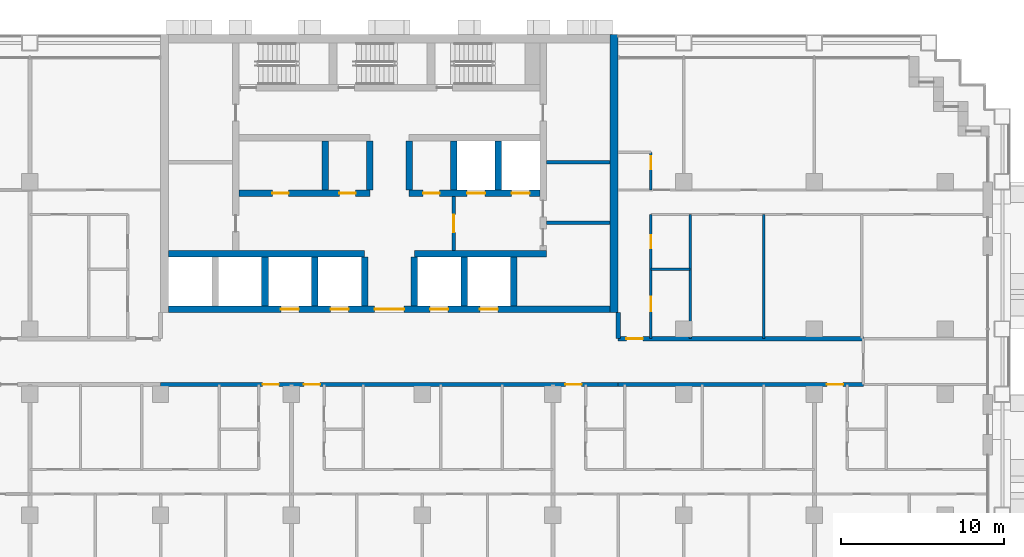
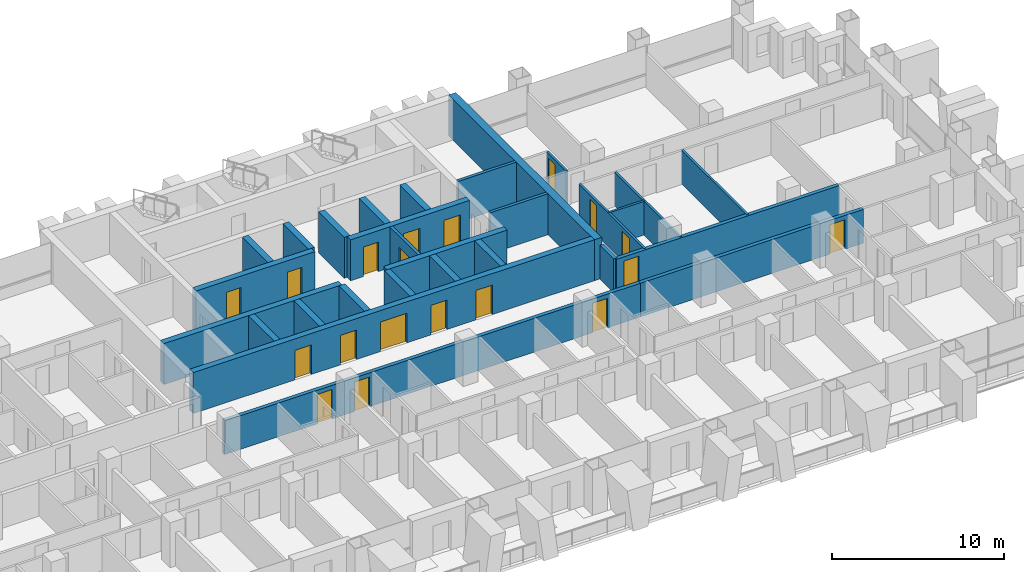
# One storey, part 12 of 19: 29 walls, 19 doors, 19 openings.
"""IFC4 building model written with IfcOpenShell, lengths in metres."""

from ifc_helpers import new_model, si_unit, direction, frame, frame_2d, origin, place, context, subcontext, project, spatial, rectangle, extrude, material, layer, layer_set, type_object, element, fill, save


model = new_model("IFC4")

# Units and contexts
model_context = context("Model", 3, precision=1e-05, world=origin(), true_north=direction((0.0, 1.0)))
body_context = subcontext(model_context, "Body", "Model", "MODEL_VIEW")
ifc_project = project(units=[si_unit("LENGTHUNIT", "METRE"), si_unit("AREAUNIT", "SQUARE_METRE"), si_unit("VOLUMEUNIT", "CUBIC_METRE"), si_unit("PLANEANGLEUNIT", "RADIAN"), si_unit("MASSUNIT", "GRAM", prefix="KILO")], contexts=[model_context])

# Site, building, storey
site_placement = place(None, origin())
site = spatial("IfcSite", under=ifc_project, at=site_placement, CompositionType="ELEMENT")
building_placement = place(site_placement, origin())
building = spatial("IfcBuilding", under=site, at=building_placement, Name="Vidyagriha Tower", CompositionType="ELEMENT")
storey_placement = place(building_placement, frame((0.0, 0.0, 57.60009765625)))
storey = spatial("IfcBuildingStorey", under=building, at=storey_placement, Name="L15", CompositionType="ELEMENT", Elevation=57.60009765625)

# Wall, openings, doors
ifc_material_1 = material(Name="Concrete C60/75", Category="concrete")
ifc_layer_1 = layer(ifc_material_1, 0.39990234375)
ifc_layer_set_1 = layer_set([ifc_layer_1], Name="Concrete C60/75")
wall_type_1 = type_object("IfcWallType", Name="Core shear wall 400 mm", PredefinedType="SHEAR", material=ifc_layer_set_1)
wall_1_placement = place(storey_placement, frame((-13.5, 3.199951171875, 0.0)))
wall_1 = element("IfcWall", 1, at=wall_1_placement, inside=storey, type_object=wall_type_1, Name="Core front wall", PredefinedType="SHEAR", context=body_context, shape_type="SweptSolid", body=[
    extrude(rectangle(XDim=27.0, YDim=0.39990234375, at=frame_2d((13.5, 0.0))), origin(), (0.0, 0.0, 1.0), 2.919921875),
])
opening_1_placement = place(wall_1_placement, frame((6.861083984375, 0.0, 0.0)))
opening_1 = element("IfcOpeningElement", 2, at=opening_1_placement, cuts=wall_1, Name="Opening LD15-01", PredefinedType="OPENING", context=body_context, shape_type="SweptSolid", body=[
    extrude(rectangle(XDim=1.10009765625, YDim=2.10009765625, at=frame_2d((0.550048828125, 1.050048828125))), frame((0.0, 0.2099609375, 0.0), z_axis=(0.0, -1.0, 0.0), x_axis=(1.0, 0.0, 0.0)), (0.0, 0.0, 1.0), 0.419921875),
])
opening_2_placement = place(wall_1_placement, frame((9.905517578125, 0.0, 0.0)))
opening_2 = element("IfcOpeningElement", 3, at=opening_2_placement, cuts=wall_1, Name="Opening LD15-02", PredefinedType="OPENING", context=body_context, shape_type="SweptSolid", body=[
    extrude(rectangle(XDim=1.10009765625, YDim=2.10009765625, at=frame_2d((0.550048828125, 1.050048828125))), frame((0.0, 0.2099609375, 0.0), z_axis=(0.0, -1.0, 0.0), x_axis=(1.0, 0.0, 0.0)), (0.0, 0.0, 1.0), 0.419921875),
])
opening_3_placement = place(wall_1_placement, frame((15.994384765625, 0.0, 0.0)))
opening_3 = element("IfcOpeningElement", 4, at=opening_3_placement, cuts=wall_1, Name="Opening LD15-03", PredefinedType="OPENING", context=body_context, shape_type="SweptSolid", body=[
    extrude(rectangle(XDim=1.10009765625, YDim=2.10009765625, at=frame_2d((0.550048828125, 1.050048828125))), frame((0.0, 0.2099609375, 0.0), z_axis=(0.0, -1.0, 0.0), x_axis=(1.0, 0.0, 0.0)), (0.0, 0.0, 1.0), 0.419921875),
])
opening_4_placement = place(wall_1_placement, frame((19.038818359375, 0.0, 0.0)))
opening_4 = element("IfcOpeningElement", 5, at=opening_4_placement, cuts=wall_1, Name="Opening LD15-04", PredefinedType="OPENING", context=body_context, shape_type="SweptSolid", body=[
    extrude(rectangle(XDim=1.10009765625, YDim=2.10009765625, at=frame_2d((0.550048828125, 1.050048828125))), frame((0.0, 0.2099609375, 0.0), z_axis=(0.0, -1.0, 0.0), x_axis=(1.0, 0.0, 0.0)), (0.0, 0.0, 1.0), 0.419921875),
])
opening_5_placement = place(wall_1_placement, frame((12.60009765625, 0.0, 0.0)))
opening_5 = element("IfcOpeningElement", 6, at=opening_5_placement, cuts=wall_1, Name="Opening D15-01", PredefinedType="OPENING", context=body_context, shape_type="SweptSolid", body=[
    extrude(rectangle(XDim=1.800048828125, YDim=2.10009765625, at=frame_2d((0.89990234375, 1.050048828125))), frame((0.0, 0.2099609375, 0.0), z_axis=(0.0, -1.0, 0.0), x_axis=(1.0, 0.0, 0.0)), (0.0, 0.0, 1.0), 0.419921875),
])
ifc_material_2 = material(Name="Hollow metal door leaf")
door_type_1 = type_object("IfcDoorType", Name="Core lobby double door 1800 x 2100 mm EI 60", OperationType="NOTDEFINED", PredefinedType="DOOR", material=ifc_material_2)
door_1_placement = place(opening_5_placement, frame((1.800048828125, 0.0, 0.0), z_axis=(0.0, 0.0, 1.0), x_axis=(-1.0, 0.0, 0.0)))
door_1 = element("IfcDoor", 7, at=door_1_placement, inside=storey, type_object=door_type_1, Name="Core entrance door L15", OperationType="DOUBLE_DOOR_SINGLE_SWING", OverallHeight=2.10009765625, OverallWidth=1.800048828125, PredefinedType="DOOR", context=body_context, shape_type="SweptSolid", body=[
    extrude(rectangle(XDim=1.800048828125, YDim=2.10009765625, at=frame_2d((0.89990234375, 1.050048828125))), frame((0.0, 0.02490234375, 0.0), z_axis=(0.0, -1.0, 0.0), x_axis=(1.0, 0.0, 0.0)), (0.0, 0.0, 1.0), 0.050048828125),
])
fill(opening_5, door_1)
ifc_material_3 = material(Name="Stainless steel sliding door panel", Category="steel")
door_type_2 = type_object("IfcDoorType", Name="Lift landing door 1100 x 2100 mm EI 90", OperationType="NOTDEFINED", PredefinedType="DOOR", material=ifc_material_3)
door_2_placement = place(opening_1_placement, origin())
door_2 = element("IfcDoor", 8, at=door_2_placement, inside=storey, type_object=door_type_2, Name="Landing door LR1 L15", OperationType="SLIDING_TO_LEFT", OverallHeight=2.10009765625, OverallWidth=1.10009765625, PredefinedType="DOOR", context=body_context, shape_type="SweptSolid", body=[
    extrude(rectangle(XDim=1.10009765625, YDim=2.10009765625, at=frame_2d((0.550048828125, 1.050048828125))), frame((0.0, 0.02490234375, 0.0), z_axis=(0.0, -1.0, 0.0), x_axis=(1.0, 0.0, 0.0)), (0.0, 0.0, 1.0), 0.050048828125),
])
fill(opening_1, door_2)
door_3_placement = place(opening_2_placement, origin())
door_3 = element("IfcDoor", 9, at=door_3_placement, inside=storey, type_object=door_type_2, Name="Landing door LR2 L15", OperationType="SLIDING_TO_LEFT", OverallHeight=2.10009765625, OverallWidth=1.10009765625, PredefinedType="DOOR", context=body_context, shape_type="SweptSolid", body=[
    extrude(rectangle(XDim=1.10009765625, YDim=2.10009765625, at=frame_2d((0.550048828125, 1.050048828125))), frame((0.0, 0.02490234375, 0.0), z_axis=(0.0, -1.0, 0.0), x_axis=(1.0, 0.0, 0.0)), (0.0, 0.0, 1.0), 0.050048828125),
])
fill(opening_2, door_3)
door_4_placement = place(opening_3_placement, origin())
door_4 = element("IfcDoor", 10, at=door_4_placement, inside=storey, type_object=door_type_2, Name="Landing door LR3 L15", OperationType="SLIDING_TO_LEFT", OverallHeight=2.10009765625, OverallWidth=1.10009765625, PredefinedType="DOOR", context=body_context, shape_type="SweptSolid", body=[
    extrude(rectangle(XDim=1.10009765625, YDim=2.10009765625, at=frame_2d((0.550048828125, 1.050048828125))), frame((0.0, 0.02490234375, 0.0), z_axis=(0.0, -1.0, 0.0), x_axis=(1.0, 0.0, 0.0)), (0.0, 0.0, 1.0), 0.050048828125),
])
fill(opening_3, door_4)
door_5_placement = place(opening_4_placement, origin())
door_5 = element("IfcDoor", 11, at=door_5_placement, inside=storey, type_object=door_type_2, Name="Landing door LR4 L15", OperationType="SLIDING_TO_LEFT", OverallHeight=2.10009765625, OverallWidth=1.10009765625, PredefinedType="DOOR", context=body_context, shape_type="SweptSolid", body=[
    extrude(rectangle(XDim=1.10009765625, YDim=2.10009765625, at=frame_2d((0.550048828125, 1.050048828125))), frame((0.0, 0.02490234375, 0.0), z_axis=(0.0, -1.0, 0.0), x_axis=(1.0, 0.0, 0.0)), (0.0, 0.0, 1.0), 0.050048828125),
])
fill(opening_4, door_5)

# Walls
wall_2_placement = place(storey_placement, frame((-13.5, 6.60009765625, 0.0)))
element("IfcWall", 12, at=wall_2_placement, inside=storey, type_object=wall_type_1, Name="Core lobby south wall west", PredefinedType="SHEAR", context=body_context, shape_type="SweptSolid", body=[
    extrude(rectangle(XDim=11.977783203125, YDim=0.39990234375, at=frame_2d((5.98876953125, 0.0))), origin(), (0.0, 0.0, 1.0), 2.919921875),
])
wall_3_placement = place(storey_placement, frame((1.522216796875, 6.60009765625, 0.0)))
element("IfcWall", 13, at=wall_3_placement, inside=storey, type_object=wall_type_1, Name="Core lobby south wall east", PredefinedType="SHEAR", context=body_context, shape_type="SweptSolid", body=[
    extrude(rectangle(XDim=8.077880859375, YDim=0.39990234375, at=frame_2d((4.0390625, 0.0))), origin(), (0.0, 0.0, 1.0), 2.919921875),
])
for number, where, z_axis, x_axis, name in (
    (14, (-7.611083984375, 3.39990234375, 0.0), (0.0, 0.0, 1.0), (0.0, 1.0, 0.0), "Core bay wall S2"),
    (15, (-4.566650390625, 3.39990234375, 0.0), (0.0, 0.0, 1.0), (0.0, 1.0, 0.0), "Core bay wall S3"),
    (16, (-1.522216796875, 3.39990234375, 0.0), (0.0, 0.0, 1.0), (0.0, 1.0, 0.0), "Core bay wall S4"),
    (17, (1.522216796875, 3.39990234375, 0.0), (0.0, 0.0, 1.0), (0.0, 1.0, 0.0), "Core bay wall S5"),
    (18, (4.566650390625, 3.39990234375, 0.0), (0.0, 0.0, 1.0), (0.0, 1.0, 0.0), "Core bay wall S6"),
    (19, (7.611083984375, 3.39990234375, 0.0), (0.0, 0.0, 1.0), (0.0, 1.0, 0.0), "Core bay wall S7"),
):
    element("IfcWall", number, at=place(storey_placement, frame(where, z_axis=z_axis, x_axis=x_axis)), inside=storey, type_object=wall_type_1, Name=name, PredefinedType="SHEAR", context=body_context, shape_type="SweptSolid", body=[
        extrude(rectangle(XDim=3.0, YDim=0.39990234375, at=frame_2d((1.5, 0.0))), origin(), (0.0, 0.0, 1.0), 2.919921875),
    ])

# Wall, openings, doors
wall_4_placement = place(storey_placement, frame((-9.199951171875, 10.300048828125, 0.0)))
wall_4 = element("IfcWall", 20, at=wall_4_placement, inside=storey, type_object=wall_type_1, Name="Core row N front wall", PredefinedType="SHEAR", context=body_context, shape_type="SweptSolid", body=[
    extrude(rectangle(XDim=8.0, YDim=0.39990234375, at=frame_2d((4.0, 0.0))), origin(), (0.0, 0.0, 1.0), 2.919921875),
])
opening_6_placement = place(wall_4_placement, frame((2.033203125, 0.0, 0.0)))
opening_6 = element("IfcOpeningElement", 21, at=opening_6_placement, cuts=wall_4, Name="Opening D15-02", PredefinedType="OPENING", context=body_context, shape_type="SweptSolid", body=[
    extrude(rectangle(XDim=1.0, YDim=2.10009765625, at=frame_2d((0.5, 1.050048828125))), frame((0.0, 0.2099609375, 0.0), z_axis=(0.0, -1.0, 0.0), x_axis=(1.0, 0.0, 0.0)), (0.0, 0.0, 1.0), 0.419921875),
])
opening_7_placement = place(wall_4_placement, frame((6.13330078125, 0.0, 0.0)))
opening_7 = element("IfcOpeningElement", 22, at=opening_7_placement, cuts=wall_4, Name="Opening D15-03", PredefinedType="OPENING", context=body_context, shape_type="SweptSolid", body=[
    extrude(rectangle(XDim=1.0, YDim=2.10009765625, at=frame_2d((0.5, 1.050048828125))), frame((0.0, 0.2099609375, 0.0), z_axis=(0.0, -1.0, 0.0), x_axis=(1.0, 0.0, 0.0)), (0.0, 0.0, 1.0), 0.419921875),
])
ifc_material_4 = material(Name="Hollow metal door leaf")
door_type_3 = type_object("IfcDoorType", Name="Core room door 1000 x 2100 mm EI 60", OperationType="NOTDEFINED", PredefinedType="DOOR", material=ifc_material_4)
door_6_placement = place(opening_6_placement, frame((1.0, 0.0, 0.0), z_axis=(0.0, 0.0, 1.0), x_axis=(-1.0, 0.0, 0.0)))
door_6 = element("IfcDoor", 23, at=door_6_placement, inside=storey, type_object=door_type_3, Name="Door Pressurisation Plant Room 15.14", OperationType="SINGLE_SWING_RIGHT", OverallHeight=2.10009765625, OverallWidth=1.0, PredefinedType="DOOR", context=body_context, shape_type="SweptSolid", body=[
    extrude(rectangle(XDim=1.0, YDim=2.10009765625, at=frame_2d((0.5, 1.050048828125))), frame((0.0, 0.02490234375, 0.0), z_axis=(0.0, -1.0, 0.0), x_axis=(1.0, 0.0, 0.0)), (0.0, 0.0, 1.0), 0.050048828125),
])
fill(opening_6, door_6)
door_7_placement = place(opening_7_placement, frame((1.0, 0.0, 0.0), z_axis=(0.0, 0.0, 1.0), x_axis=(-1.0, 0.0, 0.0)))
door_7 = element("IfcDoor", 24, at=door_7_placement, inside=storey, type_object=door_type_3, Name="Door Switchgear Room 15.15", OperationType="SINGLE_SWING_LEFT", OverallHeight=2.10009765625, OverallWidth=1.0, PredefinedType="DOOR", context=body_context, shape_type="SweptSolid", body=[
    extrude(rectangle(XDim=1.0, YDim=2.10009765625, at=frame_2d((0.5, 1.050048828125))), frame((0.0, 0.02490234375, 0.0), z_axis=(0.0, -1.0, 0.0), x_axis=(1.0, 0.0, 0.0)), (0.0, 0.0, 1.0), 0.050048828125),
])
fill(opening_7, door_7)

wall_5_placement = place(storey_placement, frame((1.199951171875, 10.300048828125, 0.0)))
wall_5 = element("IfcWall", 25, at=wall_5_placement, inside=storey, type_object=wall_type_1, Name="Core row N front wall", PredefinedType="SHEAR", context=body_context, shape_type="SweptSolid", body=[
    extrude(rectangle(XDim=8.0, YDim=0.39990234375, at=frame_2d((4.0, 0.0))), origin(), (0.0, 0.0, 1.0), 2.919921875),
])
opening_8_placement = place(wall_5_placement, frame((3.550048828125, 0.0, 0.0)))
opening_8 = element("IfcOpeningElement", 26, at=opening_8_placement, cuts=wall_5, Name="Opening LD15-05", PredefinedType="OPENING", context=body_context, shape_type="SweptSolid", body=[
    extrude(rectangle(XDim=1.10009765625, YDim=2.10009765625, at=frame_2d((0.550048828125, 1.050048828125))), frame((0.0, 0.2099609375, 0.0), z_axis=(0.0, -1.0, 0.0), x_axis=(1.0, 0.0, 0.0)), (0.0, 0.0, 1.0), 0.419921875),
])
opening_9_placement = place(wall_5_placement, frame((6.283203125, 0.0, 0.0)))
opening_9 = element("IfcOpeningElement", 27, at=opening_9_placement, cuts=wall_5, Name="Opening LD15-06", PredefinedType="OPENING", context=body_context, shape_type="SweptSolid", body=[
    extrude(rectangle(XDim=1.10009765625, YDim=2.10009765625, at=frame_2d((0.550048828125, 1.050048828125))), frame((0.0, 0.2099609375, 0.0), z_axis=(0.0, -1.0, 0.0), x_axis=(1.0, 0.0, 0.0)), (0.0, 0.0, 1.0), 0.419921875),
])
opening_10_placement = place(wall_5_placement, frame((0.86669921875, 0.0, 0.0)))
opening_10 = element("IfcOpeningElement", 28, at=opening_10_placement, cuts=wall_5, Name="Opening D15-04", PredefinedType="OPENING", context=body_context, shape_type="SweptSolid", body=[
    extrude(rectangle(XDim=1.0, YDim=2.10009765625, at=frame_2d((0.5, 1.050048828125))), frame((0.0, 0.2099609375, 0.0), z_axis=(0.0, -1.0, 0.0), x_axis=(1.0, 0.0, 0.0)), (0.0, 0.0, 1.0), 0.419921875),
])
door_8_placement = place(opening_10_placement, frame((1.0, 0.0, 0.0), z_axis=(0.0, 0.0, 1.0), x_axis=(-1.0, 0.0, 0.0)))
door_8 = element("IfcDoor", 29, at=door_8_placement, inside=storey, type_object=door_type_3, Name="Door Electrical Room 15.16", OperationType="SINGLE_SWING_LEFT", OverallHeight=2.10009765625, OverallWidth=1.0, PredefinedType="DOOR", context=body_context, shape_type="SweptSolid", body=[
    extrude(rectangle(XDim=1.0, YDim=2.10009765625, at=frame_2d((0.5, 1.050048828125))), frame((0.0, 0.02490234375, 0.0), z_axis=(0.0, -1.0, 0.0), x_axis=(1.0, 0.0, 0.0)), (0.0, 0.0, 1.0), 0.050048828125),
])
fill(opening_10, door_8)
door_9_placement = place(opening_8_placement, origin())
door_9 = element("IfcDoor", 30, at=door_9_placement, inside=storey, type_object=door_type_2, Name="Landing door FF1 L15", OperationType="SLIDING_TO_LEFT", OverallHeight=2.10009765625, OverallWidth=1.10009765625, PredefinedType="DOOR", context=body_context, shape_type="SweptSolid", body=[
    extrude(rectangle(XDim=1.10009765625, YDim=2.10009765625, at=frame_2d((0.550048828125, 1.050048828125))), frame((0.0, 0.02490234375, 0.0), z_axis=(0.0, -1.0, 0.0), x_axis=(1.0, 0.0, 0.0)), (0.0, 0.0, 1.0), 0.050048828125),
])
fill(opening_8, door_9)
door_10_placement = place(opening_9_placement, origin())
door_10 = element("IfcDoor", 31, at=door_10_placement, inside=storey, type_object=door_type_2, Name="Landing door FF2 L15", OperationType="SLIDING_TO_LEFT", OverallHeight=2.10009765625, OverallWidth=1.10009765625, PredefinedType="DOOR", context=body_context, shape_type="SweptSolid", body=[
    extrude(rectangle(XDim=1.10009765625, YDim=2.10009765625, at=frame_2d((0.550048828125, 1.050048828125))), frame((0.0, 0.02490234375, 0.0), z_axis=(0.0, -1.0, 0.0), x_axis=(1.0, 0.0, 0.0)), (0.0, 0.0, 1.0), 0.050048828125),
])
fill(opening_9, door_10)

# Walls
for number, where, z_axis, x_axis, name in (
    (32, (-3.933349609375, 10.5, 0.0), (0.0, 0.0, 1.0), (0.0, 1.0, 0.0), "Core bay wall N2"),
    (33, (-1.199951171875, 10.5, 0.0), (0.0, 0.0, 1.0), (0.0, 1.0, 0.0), "Core bay wall N3"),
    (34, (1.199951171875, 10.5, 0.0), (0.0, 0.0, 1.0), (0.0, 1.0, 0.0), "Core bay wall N4"),
    (35, (3.933349609375, 10.5, 0.0), (0.0, 0.0, 1.0), (0.0, 1.0, 0.0), "Core bay wall N5"),
    (36, (6.666748046875, 10.5, 0.0), (0.0, 0.0, 1.0), (0.0, 1.0, 0.0), "Core bay wall N6"),
):
    element("IfcWall", number, at=place(storey_placement, frame(where, z_axis=z_axis, x_axis=x_axis)), inside=storey, type_object=wall_type_1, Name=name, PredefinedType="SHEAR", context=body_context, shape_type="SweptSolid", body=[
        extrude(rectangle(XDim=3.0, YDim=0.39990234375, at=frame_2d((1.5, 0.0))), origin(), (0.0, 0.0, 1.0), 2.919921875),
    ])
ifc_material_5 = material(Name="Concrete C60/75", Category="concrete")
ifc_layer_2 = layer(ifc_material_5, 0.5)
ifc_layer_set_2 = layer_set([ifc_layer_2], Name="Concrete C60/75")
wall_type_2 = type_object("IfcWallType", Name="Core shear wall 500 mm", PredefinedType="SHEAR", material=ifc_layer_set_2)
wall_6_placement = place(storey_placement, frame((13.75, 3.0, 0.0), z_axis=(0.0, 0.0, 1.0), x_axis=(0.0, 1.0, 0.0)))
element("IfcWall", 37, at=wall_6_placement, inside=storey, type_object=wall_type_2, Name="Core east wall", PredefinedType="SHEAR", context=body_context, shape_type="SweptSolid", body=[
    extrude(rectangle(XDim=17.0, YDim=0.5, at=frame_2d((8.5, 0.0))), origin(), (0.0, 0.0, 1.0), 2.919921875),
])

# Wall, opening, door
ifc_material_6 = material(Name="Fired clay brick masonry", Category="masonry")
ifc_layer_3 = layer(ifc_material_6, 0.25)
ifc_layer_set_3 = layer_set([ifc_layer_3], Name="Fired clay brick masonry")
wall_type_3 = type_object("IfcWallType", Name="Fired clay brick corridor wall 250", PredefinedType="PARTITIONING", material=ifc_layer_set_3)
wall_7_placement = place(storey_placement, frame((29.0, -1.39990234375, 0.0), z_axis=(0.0, 0.0, 1.0), x_axis=(-1.0, 0.0, 0.0)))
wall_7 = element("IfcWall", 38, at=wall_7_placement, inside=storey, type_object=wall_type_3, Name="Wall all-L15-w095", PredefinedType="PARTITIONING", context=body_context, shape_type="SweptSolid", body=[
    extrude(rectangle(XDim=15.0, YDim=0.25, at=frame_2d((7.5, 0.0))), origin(), (0.0, 0.0, 1.0), 2.39990234375),
])
opening_11_placement = place(wall_7_placement, frame((1.239990234375, 0.0, 0.0)))
opening_11 = element("IfcOpeningElement", 39, at=opening_11_placement, cuts=wall_7, Name="Opening D15-57", PredefinedType="OPENING", context=body_context, shape_type="SweptSolid", body=[
    extrude(rectangle(XDim=1.0, YDim=2.10009765625, at=frame_2d((0.5, 1.050048828125))), frame((0.0, 0.135009765625, 0.0), z_axis=(0.0, -1.0, 0.0), x_axis=(1.0, 0.0, 0.0)), (0.0, 0.0, 1.0), 0.27001953125),
])
ifc_material_7 = material(Name="Fire-rated timber door leaf EI 60", Category="wood")
door_type_4 = type_object("IfcDoorType", Name="Flat entrance fire door 1000x2100", OperationType="NOTDEFINED", PredefinedType="DOOR", material=ifc_material_7)
door_11_placement = place(opening_11_placement, origin())
door_11 = element("IfcDoor", 40, at=door_11_placement, inside=storey, type_object=door_type_4, Name="Door D15-57", OperationType="SINGLE_SWING_RIGHT", OverallHeight=2.10009765625, OverallWidth=1.0, PredefinedType="DOOR", context=body_context, shape_type="SweptSolid", body=[
    extrude(rectangle(XDim=1.0, YDim=2.10009765625, at=frame_2d((0.5, 1.050048828125))), frame((0.0, 0.02490234375, 0.0), z_axis=(0.0, -1.0, 0.0), x_axis=(1.0, 0.0, 0.0)), (0.0, 0.0, 1.0), 0.050048828125),
])
fill(opening_11, door_11)

wall_8_placement = place(storey_placement, frame((14.0, 1.39990234375, 0.0)))
wall_8 = element("IfcWall", 41, at=wall_8_placement, inside=storey, type_object=wall_type_3, Name="Wall all-L15-w145", PredefinedType="PARTITIONING", context=body_context, shape_type="SweptSolid", body=[
    extrude(rectangle(XDim=15.0, YDim=0.25, at=frame_2d((7.5, 0.0))), origin(), (0.0, 0.0, 1.0), 2.39990234375),
])
opening_12_placement = place(wall_8_placement, frame((0.5, 0.0, 0.0)))
opening_12 = element("IfcOpeningElement", 42, at=opening_12_placement, cuts=wall_8, Name="Opening D15-79", PredefinedType="OPENING", context=body_context, shape_type="SweptSolid", body=[
    extrude(rectangle(XDim=1.0, YDim=2.10009765625, at=frame_2d((0.5, 1.050048828125))), frame((0.0, 0.135009765625, 0.0), z_axis=(0.0, -1.0, 0.0), x_axis=(1.0, 0.0, 0.0)), (0.0, 0.0, 1.0), 0.27001953125),
])
door_12_placement = place(opening_12_placement, origin())
door_12 = element("IfcDoor", 43, at=door_12_placement, inside=storey, type_object=door_type_4, Name="Door D15-79", OperationType="SINGLE_SWING_LEFT", OverallHeight=2.10009765625, OverallWidth=1.0, PredefinedType="DOOR", context=body_context, shape_type="SweptSolid", body=[
    extrude(rectangle(XDim=1.0, YDim=2.10009765625, at=frame_2d((0.5, 1.050048828125))), frame((0.0, 0.02490234375, 0.0), z_axis=(0.0, -1.0, 0.0), x_axis=(1.0, 0.0, 0.0)), (0.0, 0.0, 1.0), 0.050048828125),
])
fill(opening_12, door_12)

# Wall, openings, doors
wall_9_placement = place(storey_placement, frame((14.0, -1.39990234375, 0.0), z_axis=(0.0, 0.0, 1.0), x_axis=(-1.0, 0.0, 0.0)))
wall_9 = element("IfcWall", 44, at=wall_9_placement, inside=storey, type_object=wall_type_3, Name="Wall all-L15-w151", PredefinedType="PARTITIONING", context=body_context, shape_type="SweptSolid", body=[
    extrude(rectangle(XDim=28.0, YDim=0.25, at=frame_2d((14.0, 0.0))), origin(), (0.0, 0.0, 1.0), 2.39990234375),
])
opening_13_placement = place(wall_9_placement, frame((20.760009765625, 0.0, 0.0)))
opening_13 = element("IfcOpeningElement", 45, at=opening_13_placement, cuts=wall_9, Name="Opening D15-31", PredefinedType="OPENING", context=body_context, shape_type="SweptSolid", body=[
    extrude(rectangle(XDim=1.0, YDim=2.10009765625, at=frame_2d((0.5, 1.050048828125))), frame((0.0, 0.135009765625, 0.0), z_axis=(0.0, -1.0, 0.0), x_axis=(1.0, 0.0, 0.0)), (0.0, 0.0, 1.0), 0.27001953125),
])
opening_14_placement = place(wall_9_placement, frame((18.239990234375, 0.0, 0.0)))
opening_14 = element("IfcOpeningElement", 46, at=opening_14_placement, cuts=wall_9, Name="Opening D15-41", PredefinedType="OPENING", context=body_context, shape_type="SweptSolid", body=[
    extrude(rectangle(XDim=1.0, YDim=2.10009765625, at=frame_2d((0.5, 1.050048828125))), frame((0.0, 0.135009765625, 0.0), z_axis=(0.0, -1.0, 0.0), x_axis=(1.0, 0.0, 0.0)), (0.0, 0.0, 1.0), 0.27001953125),
])
opening_15_placement = place(wall_9_placement, frame((2.239990234375, 0.0, 0.0)))
opening_15 = element("IfcOpeningElement", 47, at=opening_15_placement, cuts=wall_9, Name="Opening D15-51", PredefinedType="OPENING", context=body_context, shape_type="SweptSolid", body=[
    extrude(rectangle(XDim=1.0, YDim=2.10009765625, at=frame_2d((0.5, 1.050048828125))), frame((0.0, 0.135009765625, 0.0), z_axis=(0.0, -1.0, 0.0), x_axis=(1.0, 0.0, 0.0)), (0.0, 0.0, 1.0), 0.27001953125),
])
door_13_placement = place(opening_13_placement, origin())
door_13 = element("IfcDoor", 48, at=door_13_placement, inside=storey, type_object=door_type_4, Name="Door D15-31", OperationType="SINGLE_SWING_LEFT", OverallHeight=2.10009765625, OverallWidth=1.0, PredefinedType="DOOR", context=body_context, shape_type="SweptSolid", body=[
    extrude(rectangle(XDim=1.0, YDim=2.10009765625, at=frame_2d((0.5, 1.050048828125))), frame((0.0, 0.02490234375, 0.0), z_axis=(0.0, -1.0, 0.0), x_axis=(1.0, 0.0, 0.0)), (0.0, 0.0, 1.0), 0.050048828125),
])
fill(opening_13, door_13)
door_14_placement = place(opening_14_placement, origin())
door_14 = element("IfcDoor", 49, at=door_14_placement, inside=storey, type_object=door_type_4, Name="Door D15-41", OperationType="SINGLE_SWING_RIGHT", OverallHeight=2.10009765625, OverallWidth=1.0, PredefinedType="DOOR", context=body_context, shape_type="SweptSolid", body=[
    extrude(rectangle(XDim=1.0, YDim=2.10009765625, at=frame_2d((0.5, 1.050048828125))), frame((0.0, 0.02490234375, 0.0), z_axis=(0.0, -1.0, 0.0), x_axis=(1.0, 0.0, 0.0)), (0.0, 0.0, 1.0), 0.050048828125),
])
fill(opening_14, door_14)
door_15_placement = place(opening_15_placement, origin())
door_15 = element("IfcDoor", 50, at=door_15_placement, inside=storey, type_object=door_type_4, Name="Door D15-51", OperationType="SINGLE_SWING_RIGHT", OverallHeight=2.10009765625, OverallWidth=1.0, PredefinedType="DOOR", context=body_context, shape_type="SweptSolid", body=[
    extrude(rectangle(XDim=1.0, YDim=2.10009765625, at=frame_2d((0.5, 1.050048828125))), frame((0.0, 0.02490234375, 0.0), z_axis=(0.0, -1.0, 0.0), x_axis=(1.0, 0.0, 0.0)), (0.0, 0.0, 1.0), 0.050048828125),
])
fill(opening_15, door_15)

# Walls
wall_10_placement = place(storey_placement, frame((14.0, 1.39990234375, 0.0), z_axis=(0.0, 0.0, 1.0), x_axis=(0.0, 1.0, 0.0)))
element("IfcWall", 51, at=wall_10_placement, inside=storey, type_object=wall_type_3, Name="Wall all-L15-w153", PredefinedType="PARTITIONING", context=body_context, shape_type="SweptSolid", body=[
    extrude(rectangle(XDim=1.60009765625, YDim=0.25, at=frame_2d((0.800048828125, 0.0))), origin(), (0.0, 0.0, 1.0), 2.39990234375),
])
ifc_material_8 = material(Name="Gypsum board partition")
ifc_layer_4 = layer(ifc_material_8, 0.14990234375)
ifc_layer_set_4 = layer_set([ifc_layer_4], Name="Gypsum board partition")
wall_type_4 = type_object("IfcWallType", Name="Gypsum board partition 150", PredefinedType="PARTITIONING", material=ifc_layer_set_4)
wall_11_placement = place(storey_placement, frame((16.0, 5.64990234375, 0.0)))
element("IfcWall", 52, at=wall_11_placement, inside=storey, type_object=wall_type_4, Name="Wall all-L15-w127", PredefinedType="PARTITIONING", context=body_context, shape_type="SweptSolid", body=[
    extrude(rectangle(XDim=2.39990234375, YDim=0.14990234375, at=frame_2d((1.199951171875, 0.0))), origin(), (0.0, 0.0, 1.0), 2.39990234375),
])
for number, where, z_axis, x_axis, name in (
    (53, (18.39990234375, 9.0, 0.0), (0.0, 0.0, 1.0), (0.0, -1.0, 0.0), "Wall all-L15-w128"),
    (54, (22.89990234375, 9.0, 0.0), (0.0, 0.0, 1.0), (0.0, -1.0, 0.0), "Wall all-L15-w129"),
):
    element("IfcWall", number, at=place(storey_placement, frame(where, z_axis=z_axis, x_axis=x_axis)), inside=storey, type_object=wall_type_4, Name=name, PredefinedType="PARTITIONING", context=body_context, shape_type="SweptSolid", body=[
        extrude(rectangle(XDim=7.60009765625, YDim=0.14990234375, at=frame_2d((3.800048828125, 0.0))), origin(), (0.0, 0.0, 1.0), 2.39990234375),
    ])

# Wall, opening, door
wall_12_placement = place(storey_placement, frame((16.0, 12.800048828125, 0.0), z_axis=(0.0, 0.0, 1.0), x_axis=(0.0, -1.0, 0.0)))
wall_12 = element("IfcWall", 55, at=wall_12_placement, inside=storey, type_object=wall_type_4, Name="Wall all-L15-w141", PredefinedType="PARTITIONING", context=body_context, shape_type="SweptSolid", body=[
    extrude(rectangle(XDim=2.300048828125, YDim=0.14990234375, at=frame_2d((1.14990234375, 0.0))), origin(), (0.0, 0.0, 1.0), 2.39990234375),
])
opening_16_placement = place(wall_12_placement, frame((0.239990234375, 0.0, 0.0)))
opening_16 = element("IfcOpeningElement", 56, at=opening_16_placement, cuts=wall_12, Name="Opening D15-78", PredefinedType="OPENING", context=body_context, shape_type="SweptSolid", body=[
    extrude(rectangle(XDim=0.800048828125, YDim=2.10009765625, at=frame_2d((0.39990234375, 1.050048828125))), frame((0.0, 0.0849609375, 0.0), z_axis=(0.0, -1.0, 0.0), x_axis=(1.0, 0.0, 0.0)), (0.0, 0.0, 1.0), 0.169921875),
])
ifc_material_9 = material(Name="Timber door leaf", Category="wood")
door_type_5 = type_object("IfcDoorType", Name="Bathroom door 800x2100", OperationType="NOTDEFINED", PredefinedType="DOOR", material=ifc_material_9)
door_16_placement = place(opening_16_placement, origin())
door_16 = element("IfcDoor", 57, at=door_16_placement, inside=storey, type_object=door_type_5, Name="Door D15-78", OperationType="SINGLE_SWING_RIGHT", OverallHeight=2.10009765625, OverallWidth=0.800048828125, PredefinedType="DOOR", context=body_context, shape_type="SweptSolid", body=[
    extrude(rectangle(XDim=0.800048828125, YDim=2.10009765625, at=frame_2d((0.39990234375, 1.050048828125))), frame((0.0, 0.02490234375, 0.0), z_axis=(0.0, -1.0, 0.0), x_axis=(1.0, 0.0, 0.0)), (0.0, 0.0, 1.0), 0.050048828125),
])
fill(opening_16, door_16)

# Wall, openings, doors
ifc_material_10 = material(Name="Moisture resistant gypsum board partition")
ifc_layer_5 = layer(ifc_material_10, 0.14990234375)
ifc_layer_set_5 = layer_set([ifc_layer_5], Name="Moisture resistant gypsum board partition")
wall_type_5 = type_object("IfcWallType", Name="Gypsum board wet-area partition 150", PredefinedType="PARTITIONING", material=ifc_layer_set_5)
wall_13_placement = place(storey_placement, frame((16.0, 9.0, 0.0), z_axis=(0.0, 0.0, 1.0), x_axis=(0.0, -1.0, 0.0)))
wall_13 = element("IfcWall", 58, at=wall_13_placement, inside=storey, type_object=wall_type_5, Name="Wall all-L15-w124", PredefinedType="PARTITIONING", context=body_context, shape_type="SweptSolid", body=[
    extrude(rectangle(XDim=7.60009765625, YDim=0.14990234375, at=frame_2d((3.800048828125, 0.0))), origin(), (0.0, 0.0, 1.0), 2.39990234375),
])
opening_17_placement = place(wall_13_placement, frame((5.02490234375, 0.0, 0.0)))
opening_17 = element("IfcOpeningElement", 59, at=opening_17_placement, cuts=wall_13, Name="Opening D15-70", PredefinedType="OPENING", context=body_context, shape_type="SweptSolid", body=[
    extrude(rectangle(XDim=0.89990234375, YDim=2.10009765625, at=frame_2d((0.449951171875, 1.050048828125))), frame((0.0, 0.0849609375, 0.0), z_axis=(0.0, -1.0, 0.0), x_axis=(1.0, 0.0, 0.0)), (0.0, 0.0, 1.0), 0.169921875),
])
opening_18_placement = place(wall_13_placement, frame((1.27490234375, 0.0, 0.0)))
opening_18 = element("IfcOpeningElement", 60, at=opening_18_placement, cuts=wall_13, Name="Opening D15-71", PredefinedType="OPENING", context=body_context, shape_type="SweptSolid", body=[
    extrude(rectangle(XDim=0.800048828125, YDim=2.10009765625, at=frame_2d((0.39990234375, 1.050048828125))), frame((0.0, 0.0849609375, 0.0), z_axis=(0.0, -1.0, 0.0), x_axis=(1.0, 0.0, 0.0)), (0.0, 0.0, 1.0), 0.169921875),
])
door_17_placement = place(opening_18_placement, origin())
door_17 = element("IfcDoor", 61, at=door_17_placement, inside=storey, type_object=door_type_5, Name="Door D15-71", OperationType="SINGLE_SWING_RIGHT", OverallHeight=2.10009765625, OverallWidth=0.800048828125, PredefinedType="DOOR", context=body_context, shape_type="SweptSolid", body=[
    extrude(rectangle(XDim=0.800048828125, YDim=2.10009765625, at=frame_2d((0.39990234375, 1.050048828125))), frame((0.0, 0.02490234375, 0.0), z_axis=(0.0, -1.0, 0.0), x_axis=(1.0, 0.0, 0.0)), (0.0, 0.0, 1.0), 0.050048828125),
])
fill(opening_18, door_17)
ifc_material_11 = material(Name="Timber door leaf", Category="wood")
door_type_6 = type_object("IfcDoorType", Name="Kitchen door 900x2100", OperationType="NOTDEFINED", PredefinedType="DOOR", material=ifc_material_11)
door_18_placement = place(opening_17_placement, origin())
door_18 = element("IfcDoor", 62, at=door_18_placement, inside=storey, type_object=door_type_6, Name="Door D15-70", OperationType="SINGLE_SWING_LEFT", OverallHeight=2.10009765625, OverallWidth=0.89990234375, PredefinedType="DOOR", context=body_context, shape_type="SweptSolid", body=[
    extrude(rectangle(XDim=0.89990234375, YDim=2.10009765625, at=frame_2d((0.449951171875, 1.050048828125))), frame((0.0, 0.02490234375, 0.0), z_axis=(0.0, -1.0, 0.0), x_axis=(1.0, 0.0, 0.0)), (0.0, 0.0, 1.0), 0.050048828125),
])
fill(opening_17, door_18)

# Wall, opening, door
ifc_material_12 = material(Name="Blockwork 15 MPa", Category="masonry")
ifc_layer_6 = layer(ifc_material_12, 0.199951171875)
ifc_layer_set_6 = layer_set([ifc_layer_6], Name="Blockwork 15 MPa")
wall_type_6 = type_object("IfcWallType", Name="Service room partition 200 mm", PredefinedType="PARTITIONING", material=ifc_layer_set_6)
wall_14_placement = place(storey_placement, frame((3.933349609375, 6.800048828125, 0.0), z_axis=(0.0, 0.0, 1.0), x_axis=(0.0, 1.0, 0.0)))
wall_14 = element("IfcWall", 63, at=wall_14_placement, inside=storey, type_object=wall_type_6, Name="Fire-fighting lobby west wall", PredefinedType="PARTITIONING", context=body_context, shape_type="SweptSolid", body=[
    extrude(rectangle(XDim=3.300048828125, YDim=0.199951171875, at=frame_2d((1.64990234375, 0.0))), origin(), (0.0, 0.0, 1.0), 2.919921875),
])
opening_19_placement = place(wall_14_placement, frame((1.10009765625, 0.0, 0.0)))
opening_19 = element("IfcOpeningElement", 64, at=opening_19_placement, cuts=wall_14, Name="Opening D15-05", PredefinedType="OPENING", context=body_context, shape_type="SweptSolid", body=[
    extrude(rectangle(XDim=1.10009765625, YDim=2.10009765625, at=frame_2d((0.550048828125, 1.050048828125))), frame((0.0, 0.10986328125, 0.0), z_axis=(0.0, -1.0, 0.0), x_axis=(1.0, 0.0, 0.0)), (0.0, 0.0, 1.0), 0.219970703125),
])
ifc_material_13 = material(Name="Hollow metal door leaf")
door_type_7 = type_object("IfcDoorType", Name="Fire-fighting lobby door 1100 x 2100 mm EI 90", OperationType="NOTDEFINED", PredefinedType="DOOR", material=ifc_material_13)
door_19_placement = place(opening_19_placement, origin())
door_19 = element("IfcDoor", 65, at=door_19_placement, inside=storey, type_object=door_type_7, Name="Fire-fighting lobby door L15", OperationType="SINGLE_SWING_RIGHT", OverallHeight=2.10009765625, OverallWidth=1.10009765625, PredefinedType="DOOR", context=body_context, shape_type="SweptSolid", body=[
    extrude(rectangle(XDim=1.10009765625, YDim=2.10009765625, at=frame_2d((0.550048828125, 1.050048828125))), frame((0.0, 0.02490234375, 0.0), z_axis=(0.0, -1.0, 0.0), x_axis=(1.0, 0.0, 0.0)), (0.0, 0.0, 1.0), 0.050048828125),
])
fill(opening_19, door_19)

# Walls
for number, where, name in (
    (66, (9.60009765625, 8.5, 0.0), "Core room partition E1"),
    (67, (9.60009765625, 12.199951171875, 0.0), "Core room partition E2"),
):
    element("IfcWall", number, at=place(storey_placement, frame(where)), inside=storey, type_object=wall_type_6, Name=name, PredefinedType="PARTITIONING", context=body_context, shape_type="SweptSolid", body=[
        extrude(rectangle(XDim=3.89990234375, YDim=0.199951171875, at=frame_2d((1.949951171875, 0.0))), origin(), (0.0, 0.0, 1.0), 2.919921875),
    ])

save(model, "model.ifc")
